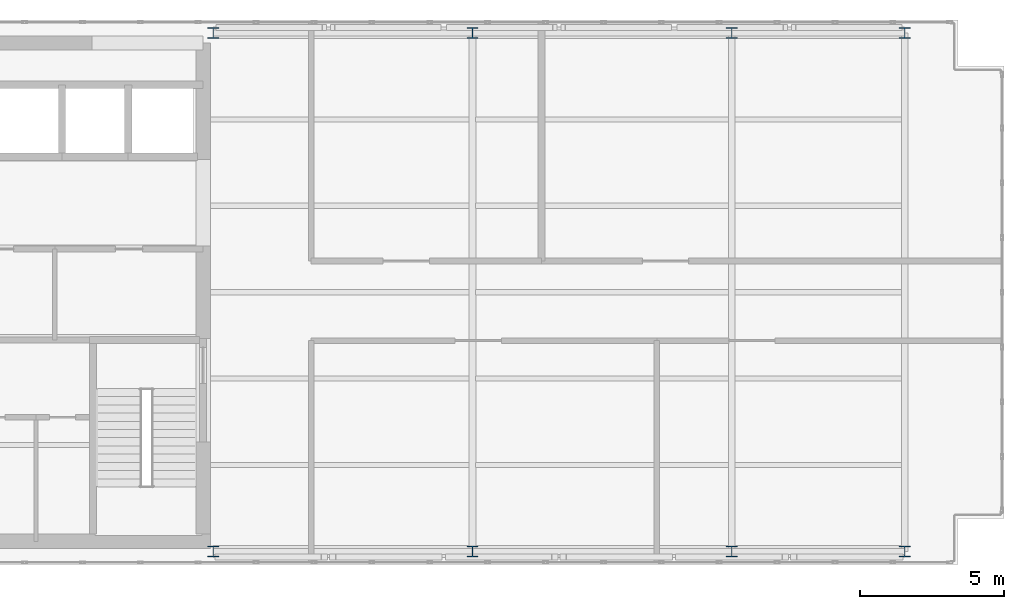
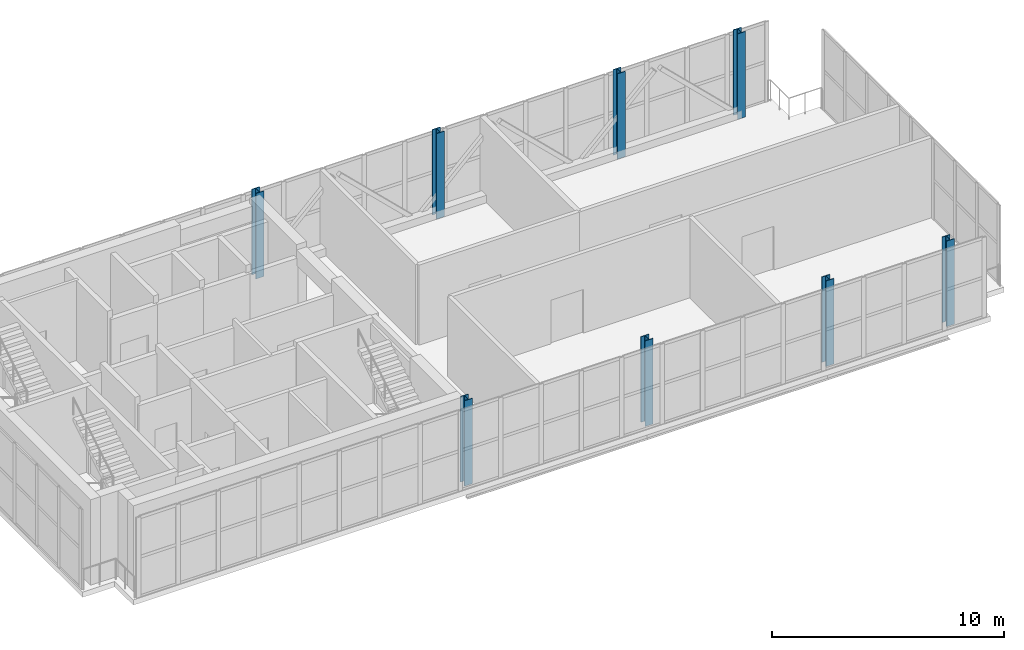
# One storey, part 1 of 21: 8 columns.
"""IFC4 building model written with IfcOpenShell, lengths in metres."""

from ifc_helpers import new_model, si_unit, direction, frame, origin, origin_2d, place, context, subcontext, project, spatial, i_section, extrude, material, material_profile, profile_set, type_object, element, save


model = new_model("IFC4")

# Units and contexts
model_context = context("Model", 3, precision=1e-05, world=origin(), true_north=direction((0.0, 1.0)))
body_context = subcontext(model_context, "Body", "Model", "MODEL_VIEW")
ifc_project = project(units=[si_unit("LENGTHUNIT", "METRE"), si_unit("AREAUNIT", "SQUARE_METRE"), si_unit("VOLUMEUNIT", "CUBIC_METRE"), si_unit("PLANEANGLEUNIT", "RADIAN"), si_unit("MASSUNIT", "GRAM", prefix="KILO")], contexts=[model_context])

# Site, building, storey
site_placement = place(None, origin())
site = spatial("IfcSite", under=ifc_project, at=site_placement, CompositionType="ELEMENT")
building_placement = place(site_placement, origin())
building = spatial("IfcBuilding", under=site, at=building_placement, Name="Mawjdan Bourse Tower", CompositionType="ELEMENT")
storey_placement = place(building_placement, frame((0.0, 0.0, 313.199951171875)))
storey = spatial("IfcBuildingStorey", under=building, at=storey_placement, Name="L77", CompositionType="ELEMENT", Elevation=313.199951171875)

# Columns
ifc_material = material(Name="Structural Steel S355", Category="steel")
ifc_material_profile = material_profile(ifc_material, i_section(OverallWidth=0.39794921875, OverallDepth=0.386962890625, WebThickness=0.02099609375, FlangeThickness=0.033203125, FilletRadius=0.026611328125, at=origin_2d()), Name="W14X176")
ifc_profile_set = profile_set([ifc_material_profile], Name="Structural Steel S355")
column_type = type_object("IfcColumnType", Name="COL-W14X176", PredefinedType="COLUMN", material=ifc_profile_set)
for number, where, z_axis, x_axis, name in (
    (1, (24.0, 3.0, 0.0), (0.0, 0.0, 1.0), (1.0, 0.0, 0.0), "L77 Structural Column C-X240-Y30"),
    (2, (24.0, 21.0, 0.0), (0.0, 0.0, 1.0), (1.0, 0.0, 0.0), "L77 Structural Column C-X240-Y210"),
    (3, (33.0, 3.0, 0.0), (0.0, 0.0, 1.0), (1.0, 0.0, 0.0), "L77 Structural Column C-X330-Y30"),
    (4, (33.0, 21.0, 0.0), (0.0, 0.0, 1.0), (1.0, 0.0, 0.0), "L77 Structural Column C-X330-Y210"),
    (5, (42.0, 3.0, 0.0), (0.0, 0.0, 1.0), (1.0, 0.0, 0.0), "L77 Structural Column C-X420-Y30"),
    (6, (42.0, 21.0, 0.0), (0.0, 0.0, 1.0), (1.0, 0.0, 0.0), "L77 Structural Column C-X420-Y210"),
    (7, (48.0, 3.0, 0.0), (0.0, 0.0, 1.0), (1.0, 0.0, 0.0), "L77 Structural Column C-X480-Y30"),
    (8, (48.0, 21.0, 0.0), (0.0, 0.0, 1.0), (1.0, 0.0, 0.0), "L77 Structural Column C-X480-Y210"),
):
    element("IfcColumn", number, at=place(storey_placement, frame(where, z_axis=z_axis, x_axis=x_axis)), inside=storey, type_object=column_type, Name=name, PredefinedType="COLUMN", context=body_context, shape_type="SweptSolid", body=[
        extrude(i_section(OverallWidth=0.39794921875, OverallDepth=0.386962890625, WebThickness=0.02099609375, FlangeThickness=0.033203125, FilletRadius=0.026611328125, at=origin_2d()), origin(), (0.0, 0.0, 1.0), 4.5),
    ])

save(model, "model.ifc")
